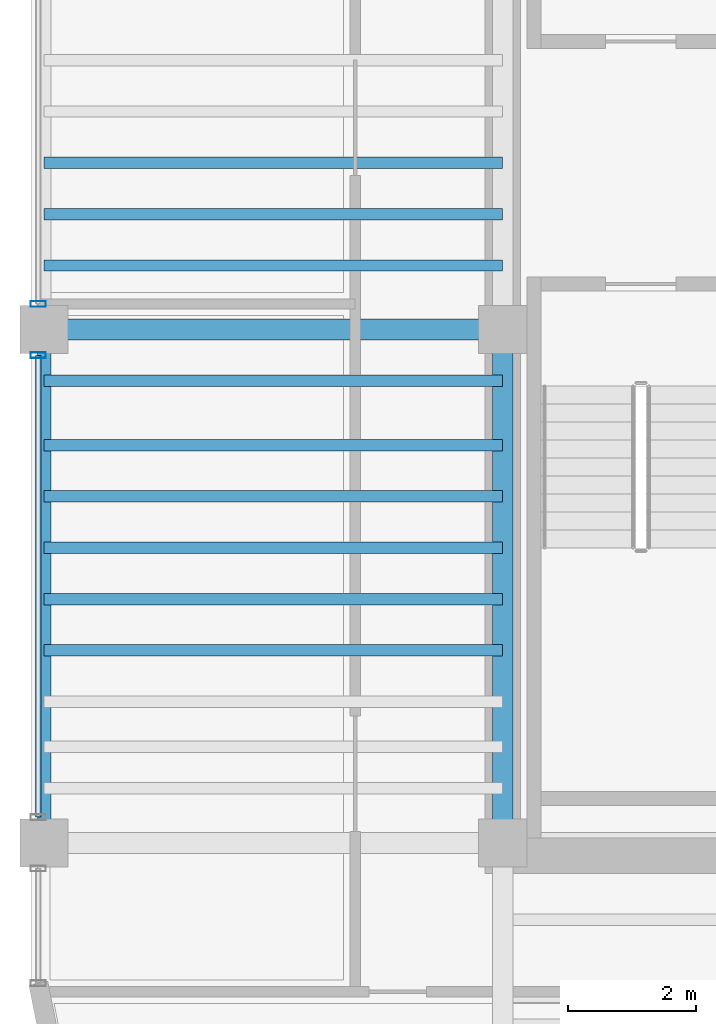
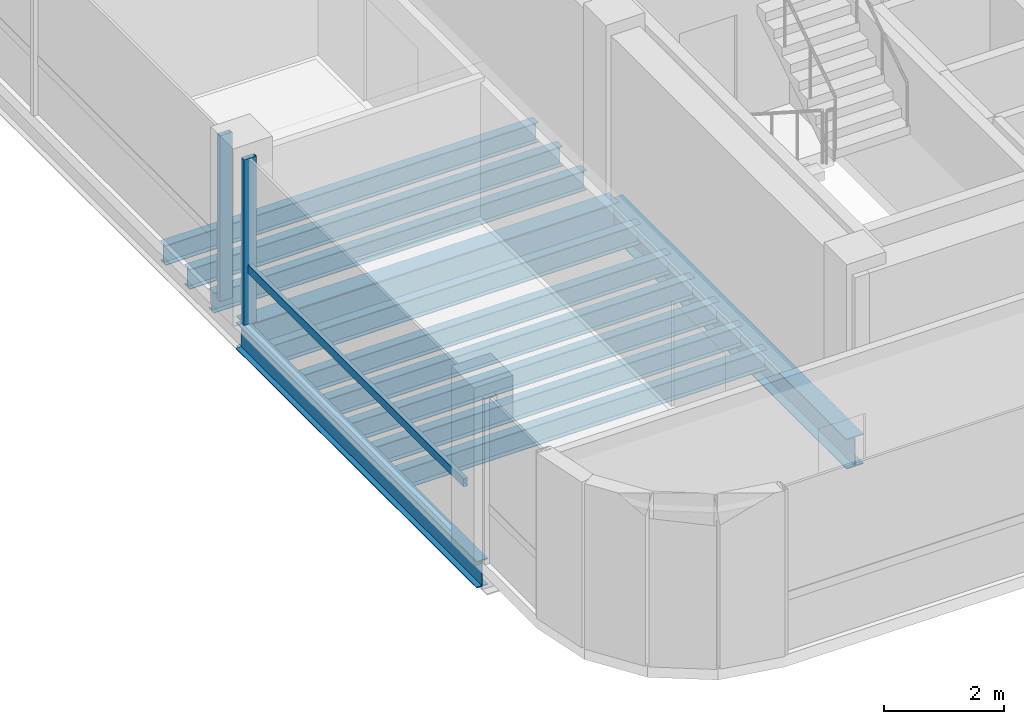
# One storey, part 3 of 13: 12 beams, 3 members, 2 elements without a shape of their own.
"""IFC4 building model written with IfcOpenShell, lengths in metres."""

from ifc_helpers import new_model, si_unit, direction, frame, origin, origin_2d, place, context, subcontext, project, spatial, hollow_rectangle, i_section, extrude, source, transform, mapped, material, material_profile, profile_set, type_object, element, aggregate, save


model = new_model("IFC4")

# Units and contexts
model_context = context("Model", 3, precision=1e-05, world=origin(), true_north=direction((0.0, 1.0)))
body_context = subcontext(model_context, "Body", "Model", "MODEL_VIEW")
ifc_project = project(units=[si_unit("LENGTHUNIT", "METRE"), si_unit("AREAUNIT", "SQUARE_METRE"), si_unit("VOLUMEUNIT", "CUBIC_METRE"), si_unit("PLANEANGLEUNIT", "RADIAN"), si_unit("MASSUNIT", "GRAM", prefix="KILO")], contexts=[model_context])

# Site, building, storey
site_placement = place(None, origin())
site = spatial("IfcSite", under=ifc_project, at=site_placement, CompositionType="ELEMENT")
building_placement = place(site_placement, origin())
building = spatial("IfcBuilding", under=site, at=building_placement, Name="Valdorenza Pilgrim Sanctuary Tower", CompositionType="ELEMENT")
storey_placement = place(building_placement, frame((0.0, 0.0, 290.60009765625)))
storey = spatial("IfcBuildingStorey", under=building, at=storey_placement, Name="L76", CompositionType="ELEMENT", Elevation=290.60009765625)

# Beams
ifc_material_1 = material(Name="Steel ASTM A992 Grade 50", Category="steel")
ifc_material_profile_1 = material_profile(ifc_material_1, i_section(OverallWidth=0.323974609375, OverallDepth=0.611083984375, WebThickness=0.0126953125, FlangeThickness=0.01904296875, at=origin_2d()), Name="W24X104")
ifc_profile_set_1 = profile_set([ifc_material_profile_1], Name="Steel ASTM A992 Grade 50")
beam_type_1 = type_object("IfcBeamType", Name="STR-BM-GRD-W24B", PredefinedType="BEAM", material=ifc_profile_set_1)
shared_shape_1 = source(origin(), body_context, "Body", "SweptSolid", [
    extrude(i_section(OverallWidth=0.323974609375, OverallDepth=0.611083984375, WebThickness=0.0126953125, FlangeThickness=0.01904296875, at=origin_2d()), origin(), (0.0, 0.0, 1.0), 8.0),
])
beam_1_placement = place(storey_placement, frame((-22.64990234375, -10.60009765625, -0.545654296875), z_axis=(0.0, 1.0, 0.0), x_axis=(-1.0, 0.0, 0.0)))
element("IfcBeam", 1, at=beam_1_placement, inside=storey, type_object=beam_type_1, Name="L76 Core Tie Girder CA-W-S1M0", PredefinedType="BEAM", context=body_context, shape_type="MappedRepresentation", body=[
    mapped(shared_shape_1, transform((0.0, 0.0, 0.0), x_axis=(1.0, 0.0, 0.0), y_axis=(0.0, 1.0, 0.0), z_axis=(0.0, 0.0, 1.0), scale=1.0)),
])
ifc_material_profile_2 = material_profile(ifc_material_1, i_section(OverallWidth=0.2109375, OverallDepth=0.5390625, WebThickness=0.01171875, FlangeThickness=0.018798828125, at=origin_2d()), Name="W21X73")
ifc_profile_set_2 = profile_set([ifc_material_profile_2], Name="Steel ASTM A992 Grade 50")
beam_type_2 = type_object("IfcBeamType", Name="STR-BM-SPN-W21B", PredefinedType="SPANDREL", material=ifc_profile_set_2)
shared_shape_2 = source(origin(), body_context, "Body", "SweptSolid", [
    extrude(i_section(OverallWidth=0.2109375, OverallDepth=0.5390625, WebThickness=0.01171875, FlangeThickness=0.018798828125, at=origin_2d()), origin(), (0.0, 0.0, 1.0), 8.0),
])
beam_2_placement = place(storey_placement, frame((-29.800048828125, -10.60009765625, -0.509521484375), z_axis=(0.0, 1.0, 0.0), x_axis=(-1.0, 0.0, 0.0)))
element("IfcBeam", 2, at=beam_2_placement, inside=storey, type_object=beam_type_2, Name="L76 Spandrel Beam WA-W-S1M0", PredefinedType="SPANDREL", context=body_context, shape_type="MappedRepresentation", body=[
    mapped(shared_shape_2, transform((0.0, 0.0, 0.0), x_axis=(1.0, 0.0, 0.0), y_axis=(0.0, 1.0, 0.0), z_axis=(0.0, 0.0, 1.0), scale=1.0)),
])
ifc_material_profile_3 = material_profile(ifc_material_1, i_section(OverallWidth=0.177978515625, OverallDepth=0.406005859375, WebThickness=0.0078125, FlangeThickness=0.0126953125, at=origin_2d()), Name="W16X40")
ifc_profile_set_3 = profile_set([ifc_material_profile_3], Name="Steel ASTM A992 Grade 50")
beam_type_3 = type_object("IfcBeamType", Name="STR-BM-JST-W16", PredefinedType="JOIST", material=ifc_profile_set_3)
shared_shape_3 = source(origin(), body_context, "Body", "SweptSolid", [
    extrude(i_section(OverallWidth=0.177978515625, OverallDepth=0.406005859375, WebThickness=0.0078125, FlangeThickness=0.0126953125, at=origin_2d()), origin(), (0.0, 0.0, 1.0), 7.150146484375),
])
for number, where, z_axis, x_axis, name in (
    (3, (-29.800048828125, -7.60009765625, -0.443115234375), (1.0, 0.0, 0.0), (0.0, 1.0, 0.0), "L76 Composite Floor Joist JST-WA-4"),
    (4, (-29.800048828125, -6.800048828125, -0.443115234375), (1.0, 0.0, 0.0), (0.0, 1.0, 0.0), "L76 Composite Floor Joist JST-WA-5"),
    (5, (-29.800048828125, -6.0, -0.443115234375), (1.0, 0.0, 0.0), (0.0, 1.0, 0.0), "L76 Composite Floor Joist JST-WA-6"),
    (6, (-29.800048828125, -5.199951171875, -0.443115234375), (1.0, 0.0, 0.0), (0.0, 1.0, 0.0), "L76 Composite Floor Joist JST-WA-7"),
    (7, (-29.800048828125, -4.39990234375, -0.443115234375), (1.0, 0.0, 0.0), (0.0, 1.0, 0.0), "L76 Composite Floor Joist JST-WA-8"),
    (8, (-29.800048828125, -3.39990234375, -0.443115234375), (1.0, 0.0, 0.0), (0.0, 1.0, 0.0), "L76 Composite Floor Joist JST-WA-9"),
    (9, (-29.800048828125, -1.60009765625, -0.443115234375), (1.0, 0.0, 0.0), (0.0, 1.0, 0.0), "L76 Composite Floor Joist JST-WA-10"),
    (10, (-29.800048828125, -0.800048828125, -0.443115234375), (1.0, 0.0, 0.0), (0.0, 1.0, 0.0), "L76 Composite Floor Joist JST-WA-11"),
    (11, (-29.800048828125, 0.0, -0.443115234375), (1.0, 0.0, 0.0), (0.0, 1.0, 0.0), "L76 Composite Floor Joist JST-WA-12"),
):
    element("IfcBeam", number, at=place(storey_placement, frame(where, z_axis=z_axis, x_axis=x_axis)), inside=storey, type_object=beam_type_3, Name=name, PredefinedType="JOIST", context=body_context, shape_type="MappedRepresentation", body=[
        mapped(shared_shape_3, transform((0.0, 0.0, 0.0), x_axis=(1.0, 0.0, 0.0), y_axis=(0.0, 1.0, 0.0), z_axis=(0.0, 0.0, 1.0), scale=1.0)),
    ])
ifc_material_profile_4 = material_profile(ifc_material_1, i_section(OverallWidth=0.326904296875, OverallDepth=0.6220703125, WebThickness=0.015380859375, FlangeThickness=0.0244140625, at=origin_2d()), Name="W24X131")
ifc_profile_set_4 = profile_set([ifc_material_profile_4], Name="Steel ASTM A992 Grade 50")
beam_type_4 = type_object("IfcBeamType", Name="STR-BM-GRD-W24A", PredefinedType="BEAM", material=ifc_profile_set_4)
shared_shape_4 = source(origin(), body_context, "Body", "SweptSolid", [
    extrude(i_section(OverallWidth=0.326904296875, OverallDepth=0.6220703125, WebThickness=0.015380859375, FlangeThickness=0.0244140625, at=origin_2d()), origin(), (0.0, 0.0, 1.0), 7.150146484375),
])
beam_3_placement = place(storey_placement, frame((-29.800048828125, -2.60009765625, -0.551025390625), z_axis=(1.0, 0.0, 0.0), x_axis=(0.0, 1.0, 0.0)))
element("IfcBeam", 12, at=beam_3_placement, inside=storey, type_object=beam_type_4, Name="L76 Floor Girder WA-XW-M0", PredefinedType="BEAM", context=body_context, shape_type="MappedRepresentation", body=[
    mapped(shared_shape_4, transform((0.0, 0.0, 0.0), x_axis=(1.0, 0.0, 0.0), y_axis=(0.0, 1.0, 0.0), z_axis=(0.0, 0.0, 1.0), scale=1.0)),
])

# Curtain wall, member
ifc_material_2 = material(Name="Curtain-wall IGU glazing", Category="glass")
curtain_wall_type = type_object("IfcCurtainWallType", Name="CW-SYS-04", PredefinedType="NOTDEFINED", material=ifc_material_2)
curtain_wall_1_placement = place(storey_placement, origin())
curtain_wall_1 = element("IfcCurtainWall", 13, at=curtain_wall_1_placement, inside=storey, type_object=curtain_wall_type, Name="L76 Curtain Wall CW-L76-1-1S2", PredefinedType="NOTDEFINED")
ifc_material_3 = material(Name="Anodised aluminium AW-6060", Category="aluminium")
ifc_material_profile_5 = material_profile(ifc_material_3, hollow_rectangle(XDim=0.090087890625, YDim=0.239990234375, WallThickness=0.0048828125, at=origin_2d()), Name="ALU-M 240x90x5")
ifc_profile_set_5 = profile_set([ifc_material_profile_5], Name="Anodised aluminium AW-6060")
member_type_1 = type_object("IfcMemberType", Name="CW-MUL-04", PredefinedType="MULLION", material=ifc_profile_set_5)
shared_shape_5 = source(origin(), body_context, "Body", "SweptSolid", [
    extrude(hollow_rectangle(XDim=0.090087890625, YDim=0.239990234375, WallThickness=0.0048828125, at=origin_2d()), origin(), (0.0, 0.0, 1.0), 3.35986328125),
])
member_1_placement = place(storey_placement, frame((-29.889892578125, -3.0, 0.0), z_axis=(0.0, 0.0, 1.0), x_axis=(0.0, 1.0, 0.0)))
member_1 = element("IfcMember", 14, at=member_1_placement, type_object=member_type_1, Name="CW-L76-1-1S2 Mullion 2", PredefinedType="MULLION", context=body_context, shape_type="MappedRepresentation", body=[
    mapped(shared_shape_5, transform((0.0, 0.0, 0.0), x_axis=(1.0, 0.0, 0.0), y_axis=(0.0, 1.0, 0.0), z_axis=(0.0, 0.0, 1.0), scale=1.0)),
])

curtain_wall_2_placement = place(storey_placement, origin())
curtain_wall_2 = element("IfcCurtainWall", 15, at=curtain_wall_2_placement, inside=storey, type_object=curtain_wall_type, Name="L76 Curtain Wall CW-L76-1-1S3", PredefinedType="NOTDEFINED")
member_2_placement = place(storey_placement, frame((-29.889892578125, -2.199951171875, 0.0), z_axis=(0.0, 0.0, 1.0), x_axis=(0.0, 1.0, 0.0)))
member_2 = element("IfcMember", 16, at=member_2_placement, type_object=member_type_1, Name="CW-L76-1-1S3 Mullion 1", PredefinedType="MULLION", context=body_context, shape_type="MappedRepresentation", body=[
    mapped(shared_shape_5, transform((0.0, 0.0, 0.0), x_axis=(1.0, 0.0, 0.0), y_axis=(0.0, 1.0, 0.0), z_axis=(0.0, 0.0, 1.0), scale=1.0)),
])
aggregate(curtain_wall_2, [member_2])

# Member
ifc_material_profile_6 = material_profile(ifc_material_3, hollow_rectangle(XDim=0.080078125, YDim=0.169921875, WallThickness=0.00390625, at=origin_2d()), Name="ALU-T 170x80x4")
ifc_profile_set_6 = profile_set([ifc_material_profile_6], Name="Anodised aluminium AW-6060")
member_type_2 = type_object("IfcMemberType", Name="CW-TRN-04", PredefinedType="USERDEFINED", material=ifc_profile_set_6)
shared_shape_6 = source(origin(), body_context, "Body", "SweptSolid", [
    extrude(hollow_rectangle(XDim=0.080078125, YDim=0.169921875, WallThickness=0.00390625, at=origin_2d()), origin(), (0.0, 0.0, 1.0), 7.199951171875),
])
member_3_placement = place(storey_placement, frame((-29.889892578125, -10.199951171875, 1.119873046875), z_axis=(0.0, 1.0, 0.0), x_axis=(-1.0, 0.0, 0.0)))
member_3 = element("IfcMember", 17, at=member_3_placement, type_object=member_type_2, Name="CW-L76-1-1S2 Transom 1", ObjectType="TRANSOM", PredefinedType="USERDEFINED", context=body_context, shape_type="MappedRepresentation", body=[
    mapped(shared_shape_6, transform((0.0, 0.0, 0.0), x_axis=(1.0, 0.0, 0.0), y_axis=(0.0, 1.0, 0.0), z_axis=(0.0, 0.0, 1.0), scale=1.0)),
])

aggregate(curtain_wall_1, [member_1, member_3])

save(model, "model.ifc")
